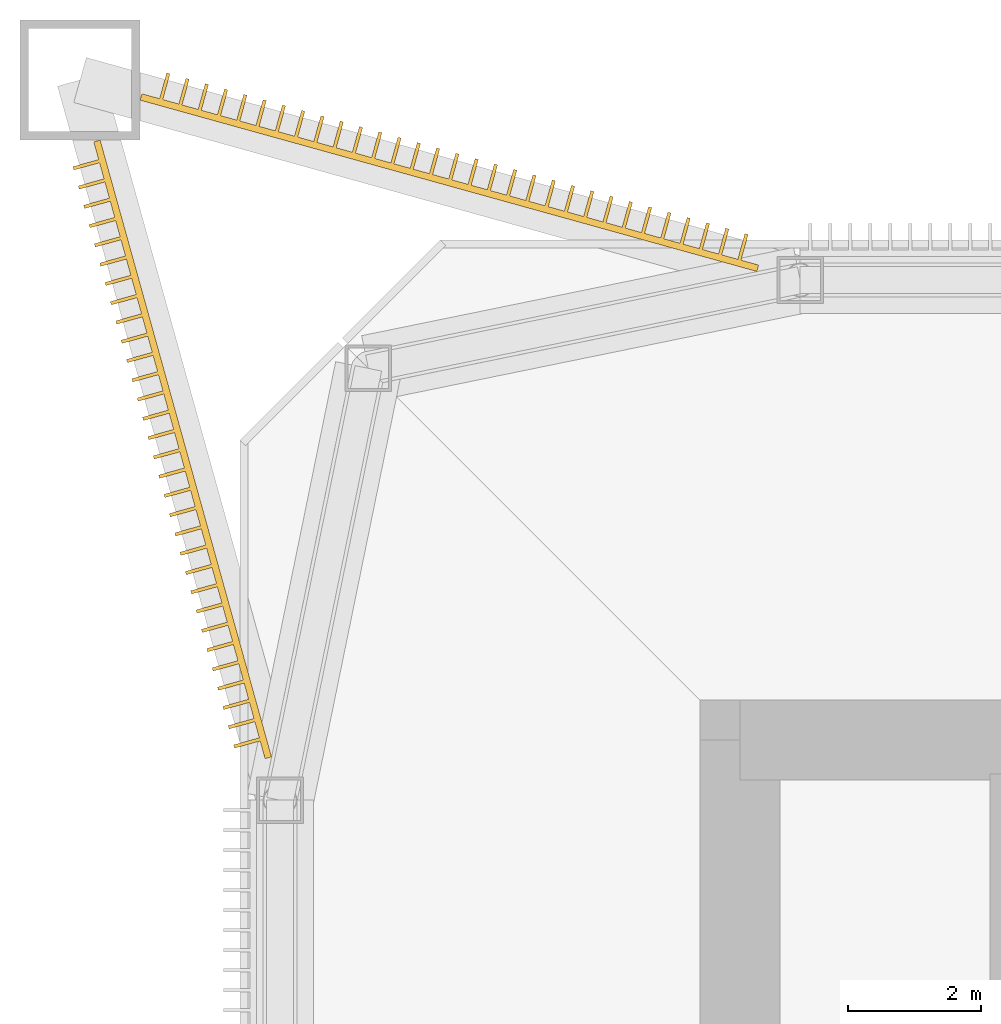
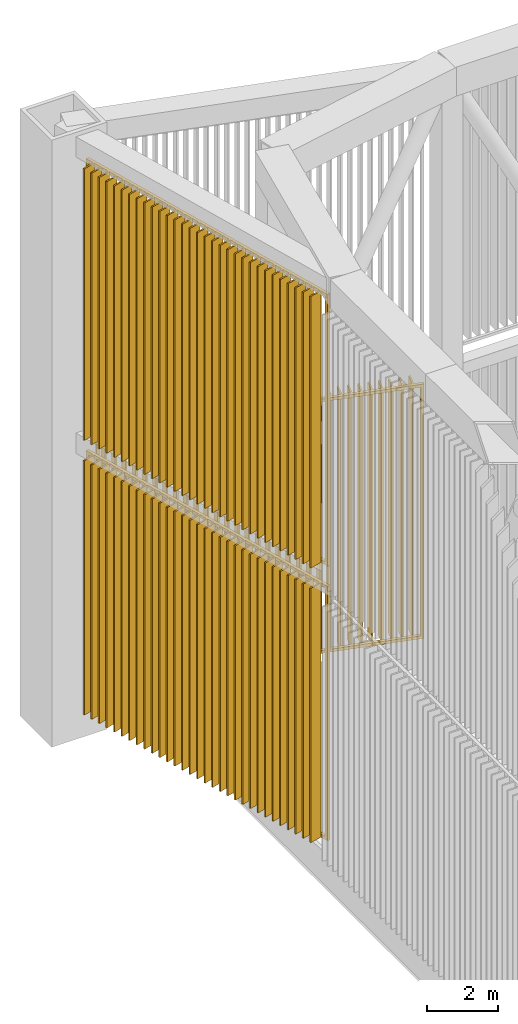
# One storey, part 10 of 13: 3 shading devices.
"""IFC4 building model written with IfcOpenShell, lengths in metres."""

from ifc_helpers import new_model, si_unit, direction, frame, origin, origin_2d, place, context, subcontext, project, spatial, rectangle, extrude, material, layer, layer_set, type_object, element, save


model = new_model("IFC4")

# Units and contexts
model_context = context("Model", 3, precision=1e-05, world=origin(), true_north=direction((0.0, 1.0)))
body_context = subcontext(model_context, "Body", "Model", "MODEL_VIEW")
ifc_project = project(units=[si_unit("LENGTHUNIT", "METRE"), si_unit("AREAUNIT", "SQUARE_METRE"), si_unit("VOLUMEUNIT", "CUBIC_METRE"), si_unit("PLANEANGLEUNIT", "RADIAN"), si_unit("MASSUNIT", "GRAM", prefix="KILO")], contexts=[model_context])

# Site, building, storey
site_placement = place(None, origin())
site = spatial("IfcSite", under=ifc_project, at=site_placement, CompositionType="ELEMENT")
building_placement = place(site_placement, origin())
building = spatial("IfcBuilding", under=site, at=building_placement, Name="Iwan Alto Co-Living Towers", CompositionType="ELEMENT")
storey_placement = place(building_placement, frame((0.0, 0.0, 267.5)))
storey = spatial("IfcBuildingStorey", under=building, at=storey_placement, Name="RF", CompositionType="ELEMENT", Elevation=267.5)

# Shading devices
ifc_material_1 = material(Name="Aluminium 6063-T6 bronze anodised", Category="aluminium")
ifc_layer_1 = layer(ifc_material_1, 0.39990234375, Name="Fins", Category="Finish")
ifc_material_2 = material(Name="Steel ASTM A36 galvanised frame", Category="steel")
ifc_layer_2 = layer(ifc_material_2, 0.10009765625, Name="Panel frame", Category="Framing")
ifc_layer_set = layer_set([ifc_layer_1, ifc_layer_2], Name="CROWN FIN SCREEN CORNER PANEL")
shading_device_type = type_object("IfcShadingDeviceType", Name="CROWN FIN SCREEN CORNER PANEL", PredefinedType="USERDEFINED", material=ifc_layer_set)
shading_device_1_placement = place(storey_placement, frame((0.0, 0.0, -267.5)))
element("IfcShadingDevice", 1, at=shading_device_1_placement, inside=storey, type_object=shading_device_type, Name="T1 crown fin screen NW-W lower", ObjectType="LOUVER", PredefinedType="USERDEFINED", context=body_context, shape_type="SweptSolid", body=[
    extrude(rectangle(XDim=9.59912109375, YDim=0.10009765625, at=origin_2d()), frame((-17.361083984375, 13.3603515625, 268.599853515625), z_axis=(0.0, 0.0, 1.0), x_axis=(-0.267643863841, 0.963517909615, 0.0)), (0.0, 0.0, 1.0), 0.10009765625),
    extrude(rectangle(XDim=9.59912109375, YDim=0.10009765625, at=origin_2d()), frame((-17.361083984375, 13.3603515625, 277.300048828125), z_axis=(0.0, 0.0, 1.0), x_axis=(-0.267643863841, 0.963517909615, 0.0)), (0.0, 0.0, 1.0), 0.10009765625),
    extrude(rectangle(XDim=0.10009765625, YDim=0.10009765625, at=origin_2d()), frame((-16.090087890625, 8.7841796875, 268.69482421875), z_axis=(0.0, 0.0, 1.0), x_axis=(-0.267643863841, 0.963517909615, 0.0)), (0.0, 0.0, 1.0), 8.610107421875),
    extrude(rectangle(XDim=0.10009765625, YDim=0.10009765625, at=origin_2d()), frame((-18.63232421875, 17.9365234375, 268.69482421875), z_axis=(0.0, 0.0, 1.0), x_axis=(-0.267643863841, 0.963517909615, 0.0)), (0.0, 0.0, 1.0), 8.610107421875),
    extrude(rectangle(XDim=0.050048828125, YDim=0.405029296875, at=origin_2d()), frame((-16.395263671875, 8.958251953125, 268.60009765625), z_axis=(0.0, 0.0, 1.0), x_axis=(-0.267643863841, 0.963517909615, 0.0)), (0.0, 0.0, 1.0), 8.800048828125),
    extrude(rectangle(XDim=0.050048828125, YDim=0.405029296875, at=origin_2d()), frame((-16.4755859375, 9.247314453125, 268.60009765625), z_axis=(0.0, 0.0, 1.0), x_axis=(-0.267643863841, 0.963517909615, 0.0)), (0.0, 0.0, 1.0), 8.800048828125),
    extrude(rectangle(XDim=0.050048828125, YDim=0.405029296875, at=origin_2d()), frame((-16.555908203125, 9.536376953125, 268.60009765625), z_axis=(0.0, 0.0, 1.0), x_axis=(-0.267643863841, 0.963517909615, 0.0)), (0.0, 0.0, 1.0), 8.800048828125),
    extrude(rectangle(XDim=0.050048828125, YDim=0.405029296875, at=origin_2d()), frame((-16.63623046875, 9.825439453125, 268.60009765625), z_axis=(0.0, 0.0, 1.0), x_axis=(-0.267643863841, 0.963517909615, 0.0)), (0.0, 0.0, 1.0), 8.800048828125),
    extrude(rectangle(XDim=0.050048828125, YDim=0.405029296875, at=origin_2d()), frame((-16.71630859375, 10.114501953125, 268.60009765625), z_axis=(0.0, 0.0, 1.0), x_axis=(-0.267643863841, 0.963517909615, 0.0)), (0.0, 0.0, 1.0), 8.800048828125),
    extrude(rectangle(XDim=0.050048828125, YDim=0.405029296875, at=origin_2d()), frame((-16.796630859375, 10.403564453125, 268.60009765625), z_axis=(0.0, 0.0, 1.0), x_axis=(-0.267643863841, 0.963517909615, 0.0)), (0.0, 0.0, 1.0), 8.800048828125),
    extrude(rectangle(XDim=0.050048828125, YDim=0.405029296875, at=origin_2d()), frame((-16.876953125, 10.692626953125, 268.60009765625), z_axis=(0.0, 0.0, 1.0), x_axis=(-0.267643863841, 0.963517909615, 0.0)), (0.0, 0.0, 1.0), 8.800048828125),
    extrude(rectangle(XDim=0.050048828125, YDim=0.405029296875, at=origin_2d()), frame((-16.957275390625, 10.981689453125, 268.60009765625), z_axis=(0.0, 0.0, 1.0), x_axis=(-0.267643863841, 0.963517909615, 0.0)), (0.0, 0.0, 1.0), 8.800048828125),
    extrude(rectangle(XDim=0.050048828125, YDim=0.405029296875, at=origin_2d()), frame((-17.03759765625, 11.270751953125, 268.60009765625), z_axis=(0.0, 0.0, 1.0), x_axis=(-0.267643863841, 0.963517909615, 0.0)), (0.0, 0.0, 1.0), 8.800048828125),
    extrude(rectangle(XDim=0.050048828125, YDim=0.405029296875, at=origin_2d()), frame((-17.117919921875, 11.559814453125, 268.60009765625), z_axis=(0.0, 0.0, 1.0), x_axis=(-0.267643863841, 0.963517909615, 0.0)), (0.0, 0.0, 1.0), 8.800048828125),
    extrude(rectangle(XDim=0.050048828125, YDim=0.405029296875, at=origin_2d()), frame((-17.1982421875, 11.848876953125, 268.60009765625), z_axis=(0.0, 0.0, 1.0), x_axis=(-0.267643863841, 0.963517909615, 0.0)), (0.0, 0.0, 1.0), 8.800048828125),
    extrude(rectangle(XDim=0.050048828125, YDim=0.405029296875, at=origin_2d()), frame((-17.278564453125, 12.137939453125, 268.60009765625), z_axis=(0.0, 0.0, 1.0), x_axis=(-0.267643863841, 0.963517909615, 0.0)), (0.0, 0.0, 1.0), 8.800048828125),
    extrude(rectangle(XDim=0.050048828125, YDim=0.405029296875, at=origin_2d()), frame((-17.35888671875, 12.427001953125, 268.60009765625), z_axis=(0.0, 0.0, 1.0), x_axis=(-0.267643863841, 0.963517909615, 0.0)), (0.0, 0.0, 1.0), 8.800048828125),
    extrude(rectangle(XDim=0.050048828125, YDim=0.405029296875, at=origin_2d()), frame((-17.439208984375, 12.716064453125, 268.60009765625), z_axis=(0.0, 0.0, 1.0), x_axis=(-0.267643863841, 0.963517909615, 0.0)), (0.0, 0.0, 1.0), 8.800048828125),
    extrude(rectangle(XDim=0.050048828125, YDim=0.405029296875, at=origin_2d()), frame((-17.519287109375, 13.0048828125, 268.60009765625), z_axis=(0.0, 0.0, 1.0), x_axis=(-0.267643863841, 0.963517909615, 0.0)), (0.0, 0.0, 1.0), 8.800048828125),
    extrude(rectangle(XDim=0.050048828125, YDim=0.405029296875, at=origin_2d()), frame((-17.599609375, 13.294189453125, 268.60009765625), z_axis=(0.0, 0.0, 1.0), x_axis=(-0.267643863841, 0.963517909615, 0.0)), (0.0, 0.0, 1.0), 8.800048828125),
    extrude(rectangle(XDim=0.050048828125, YDim=0.405029296875, at=origin_2d()), frame((-17.679931640625, 13.5830078125, 268.60009765625), z_axis=(0.0, 0.0, 1.0), x_axis=(-0.267643863841, 0.963517909615, 0.0)), (0.0, 0.0, 1.0), 8.800048828125),
    extrude(rectangle(XDim=0.050048828125, YDim=0.405029296875, at=origin_2d()), frame((-17.76025390625, 13.872314453125, 268.60009765625), z_axis=(0.0, 0.0, 1.0), x_axis=(-0.267643863841, 0.963517909615, 0.0)), (0.0, 0.0, 1.0), 8.800048828125),
    extrude(rectangle(XDim=0.050048828125, YDim=0.405029296875, at=origin_2d()), frame((-17.840576171875, 14.161376953125, 268.60009765625), z_axis=(0.0, 0.0, 1.0), x_axis=(-0.267643863841, 0.963517909615, 0.0)), (0.0, 0.0, 1.0), 8.800048828125),
    extrude(rectangle(XDim=0.050048828125, YDim=0.405029296875, at=origin_2d()), frame((-17.9208984375, 14.4501953125, 268.60009765625), z_axis=(0.0, 0.0, 1.0), x_axis=(-0.267643863841, 0.963517909615, 0.0)), (0.0, 0.0, 1.0), 8.800048828125),
    extrude(rectangle(XDim=0.050048828125, YDim=0.405029296875, at=origin_2d()), frame((-18.001220703125, 14.739501953125, 268.60009765625), z_axis=(0.0, 0.0, 1.0), x_axis=(-0.267643863841, 0.963517909615, 0.0)), (0.0, 0.0, 1.0), 8.800048828125),
    extrude(rectangle(XDim=0.050048828125, YDim=0.405029296875, at=origin_2d()), frame((-18.081298828125, 15.0283203125, 268.60009765625), z_axis=(0.0, 0.0, 1.0), x_axis=(-0.267643863841, 0.963517909615, 0.0)), (0.0, 0.0, 1.0), 8.800048828125),
    extrude(rectangle(XDim=0.050048828125, YDim=0.405029296875, at=origin_2d()), frame((-18.16162109375, 15.3173828125, 268.60009765625), z_axis=(0.0, 0.0, 1.0), x_axis=(-0.267643863841, 0.963517909615, 0.0)), (0.0, 0.0, 1.0), 8.800048828125),
    extrude(rectangle(XDim=0.050048828125, YDim=0.405029296875, at=origin_2d()), frame((-18.241943359375, 15.6064453125, 268.60009765625), z_axis=(0.0, 0.0, 1.0), x_axis=(-0.267643863841, 0.963517909615, 0.0)), (0.0, 0.0, 1.0), 8.800048828125),
    extrude(rectangle(XDim=0.050048828125, YDim=0.405029296875, at=origin_2d()), frame((-18.322265625, 15.8955078125, 268.60009765625), z_axis=(0.0, 0.0, 1.0), x_axis=(-0.267643863841, 0.963517909615, 0.0)), (0.0, 0.0, 1.0), 8.800048828125),
    extrude(rectangle(XDim=0.050048828125, YDim=0.405029296875, at=origin_2d()), frame((-18.402587890625, 16.1845703125, 268.60009765625), z_axis=(0.0, 0.0, 1.0), x_axis=(-0.267643863841, 0.963517909615, 0.0)), (0.0, 0.0, 1.0), 8.800048828125),
    extrude(rectangle(XDim=0.050048828125, YDim=0.405029296875, at=origin_2d()), frame((-18.48291015625, 16.4736328125, 268.60009765625), z_axis=(0.0, 0.0, 1.0), x_axis=(-0.267643863841, 0.963517909615, 0.0)), (0.0, 0.0, 1.0), 8.800048828125),
    extrude(rectangle(XDim=0.050048828125, YDim=0.405029296875, at=origin_2d()), frame((-18.563232421875, 16.7626953125, 268.60009765625), z_axis=(0.0, 0.0, 1.0), x_axis=(-0.267643863841, 0.963517909615, 0.0)), (0.0, 0.0, 1.0), 8.800048828125),
    extrude(rectangle(XDim=0.050048828125, YDim=0.405029296875, at=origin_2d()), frame((-18.6435546875, 17.0517578125, 268.60009765625), z_axis=(0.0, 0.0, 1.0), x_axis=(-0.267643863841, 0.963517909615, 0.0)), (0.0, 0.0, 1.0), 8.800048828125),
    extrude(rectangle(XDim=0.050048828125, YDim=0.405029296875, at=origin_2d()), frame((-18.723876953125, 17.3408203125, 268.60009765625), z_axis=(0.0, 0.0, 1.0), x_axis=(-0.267643863841, 0.963517909615, 0.0)), (0.0, 0.0, 1.0), 8.800048828125),
    extrude(rectangle(XDim=0.050048828125, YDim=0.405029296875, at=origin_2d()), frame((-18.80419921875, 17.6298828125, 268.60009765625), z_axis=(0.0, 0.0, 1.0), x_axis=(-0.267643863841, 0.963517909615, 0.0)), (0.0, 0.0, 1.0), 8.800048828125),
])
shading_device_2_placement = place(storey_placement, frame((0.0, 0.0, -267.5)))
element("IfcShadingDevice", 2, at=shading_device_2_placement, inside=storey, type_object=shading_device_type, Name="T1 crown fin screen NW-W upper", ObjectType="LOUVER", PredefinedType="USERDEFINED", context=body_context, shape_type="SweptSolid", body=[
    extrude(rectangle(XDim=9.59912109375, YDim=0.10009765625, at=origin_2d()), frame((-17.361083984375, 13.3603515625, 278.099853515625), z_axis=(0.0, 0.0, 1.0), x_axis=(-0.267643863841, 0.963517909615, 0.0)), (0.0, 0.0, 1.0), 0.10009765625),
    extrude(rectangle(XDim=9.59912109375, YDim=0.10009765625, at=origin_2d()), frame((-17.361083984375, 13.3603515625, 287.39990234375), z_axis=(0.0, 0.0, 1.0), x_axis=(-0.267643863841, 0.963517909615, 0.0)), (0.0, 0.0, 1.0), 0.10009765625),
    extrude(rectangle(XDim=0.10009765625, YDim=0.10009765625, at=origin_2d()), frame((-16.090087890625, 8.7841796875, 278.195068359375), z_axis=(0.0, 0.0, 1.0), x_axis=(-0.267643863841, 0.963517909615, 0.0)), (0.0, 0.0, 1.0), 9.2099609375),
    extrude(rectangle(XDim=0.10009765625, YDim=0.10009765625, at=origin_2d()), frame((-18.63232421875, 17.9365234375, 278.195068359375), z_axis=(0.0, 0.0, 1.0), x_axis=(-0.267643863841, 0.963517909615, 0.0)), (0.0, 0.0, 1.0), 9.2099609375),
    extrude(rectangle(XDim=0.050048828125, YDim=0.405029296875, at=origin_2d()), frame((-16.395263671875, 8.958251953125, 278.10009765625), z_axis=(0.0, 0.0, 1.0), x_axis=(-0.267643863841, 0.963517909615, 0.0)), (0.0, 0.0, 1.0), 9.39990234375),
    extrude(rectangle(XDim=0.050048828125, YDim=0.405029296875, at=origin_2d()), frame((-16.4755859375, 9.247314453125, 278.10009765625), z_axis=(0.0, 0.0, 1.0), x_axis=(-0.267643863841, 0.963517909615, 0.0)), (0.0, 0.0, 1.0), 9.39990234375),
    extrude(rectangle(XDim=0.050048828125, YDim=0.405029296875, at=origin_2d()), frame((-16.555908203125, 9.536376953125, 278.10009765625), z_axis=(0.0, 0.0, 1.0), x_axis=(-0.267643863841, 0.963517909615, 0.0)), (0.0, 0.0, 1.0), 9.39990234375),
    extrude(rectangle(XDim=0.050048828125, YDim=0.405029296875, at=origin_2d()), frame((-16.63623046875, 9.825439453125, 278.10009765625), z_axis=(0.0, 0.0, 1.0), x_axis=(-0.267643863841, 0.963517909615, 0.0)), (0.0, 0.0, 1.0), 9.39990234375),
    extrude(rectangle(XDim=0.050048828125, YDim=0.405029296875, at=origin_2d()), frame((-16.71630859375, 10.114501953125, 278.10009765625), z_axis=(0.0, 0.0, 1.0), x_axis=(-0.267643863841, 0.963517909615, 0.0)), (0.0, 0.0, 1.0), 9.39990234375),
    extrude(rectangle(XDim=0.050048828125, YDim=0.405029296875, at=origin_2d()), frame((-16.796630859375, 10.403564453125, 278.10009765625), z_axis=(0.0, 0.0, 1.0), x_axis=(-0.267643863841, 0.963517909615, 0.0)), (0.0, 0.0, 1.0), 9.39990234375),
    extrude(rectangle(XDim=0.050048828125, YDim=0.405029296875, at=origin_2d()), frame((-16.876953125, 10.692626953125, 278.10009765625), z_axis=(0.0, 0.0, 1.0), x_axis=(-0.267643863841, 0.963517909615, 0.0)), (0.0, 0.0, 1.0), 9.39990234375),
    extrude(rectangle(XDim=0.050048828125, YDim=0.405029296875, at=origin_2d()), frame((-16.957275390625, 10.981689453125, 278.10009765625), z_axis=(0.0, 0.0, 1.0), x_axis=(-0.267643863841, 0.963517909615, 0.0)), (0.0, 0.0, 1.0), 9.39990234375),
    extrude(rectangle(XDim=0.050048828125, YDim=0.405029296875, at=origin_2d()), frame((-17.03759765625, 11.270751953125, 278.10009765625), z_axis=(0.0, 0.0, 1.0), x_axis=(-0.267643863841, 0.963517909615, 0.0)), (0.0, 0.0, 1.0), 9.39990234375),
    extrude(rectangle(XDim=0.050048828125, YDim=0.405029296875, at=origin_2d()), frame((-17.117919921875, 11.559814453125, 278.10009765625), z_axis=(0.0, 0.0, 1.0), x_axis=(-0.267643863841, 0.963517909615, 0.0)), (0.0, 0.0, 1.0), 9.39990234375),
    extrude(rectangle(XDim=0.050048828125, YDim=0.405029296875, at=origin_2d()), frame((-17.1982421875, 11.848876953125, 278.10009765625), z_axis=(0.0, 0.0, 1.0), x_axis=(-0.267643863841, 0.963517909615, 0.0)), (0.0, 0.0, 1.0), 9.39990234375),
    extrude(rectangle(XDim=0.050048828125, YDim=0.405029296875, at=origin_2d()), frame((-17.278564453125, 12.137939453125, 278.10009765625), z_axis=(0.0, 0.0, 1.0), x_axis=(-0.267643863841, 0.963517909615, 0.0)), (0.0, 0.0, 1.0), 9.39990234375),
    extrude(rectangle(XDim=0.050048828125, YDim=0.405029296875, at=origin_2d()), frame((-17.35888671875, 12.427001953125, 278.10009765625), z_axis=(0.0, 0.0, 1.0), x_axis=(-0.267643863841, 0.963517909615, 0.0)), (0.0, 0.0, 1.0), 9.39990234375),
    extrude(rectangle(XDim=0.050048828125, YDim=0.405029296875, at=origin_2d()), frame((-17.439208984375, 12.716064453125, 278.10009765625), z_axis=(0.0, 0.0, 1.0), x_axis=(-0.267643863841, 0.963517909615, 0.0)), (0.0, 0.0, 1.0), 9.39990234375),
    extrude(rectangle(XDim=0.050048828125, YDim=0.405029296875, at=origin_2d()), frame((-17.519287109375, 13.0048828125, 278.10009765625), z_axis=(0.0, 0.0, 1.0), x_axis=(-0.267643863841, 0.963517909615, 0.0)), (0.0, 0.0, 1.0), 9.39990234375),
    extrude(rectangle(XDim=0.050048828125, YDim=0.405029296875, at=origin_2d()), frame((-17.599609375, 13.294189453125, 278.10009765625), z_axis=(0.0, 0.0, 1.0), x_axis=(-0.267643863841, 0.963517909615, 0.0)), (0.0, 0.0, 1.0), 9.39990234375),
    extrude(rectangle(XDim=0.050048828125, YDim=0.405029296875, at=origin_2d()), frame((-17.679931640625, 13.5830078125, 278.10009765625), z_axis=(0.0, 0.0, 1.0), x_axis=(-0.267643863841, 0.963517909615, 0.0)), (0.0, 0.0, 1.0), 9.39990234375),
    extrude(rectangle(XDim=0.050048828125, YDim=0.405029296875, at=origin_2d()), frame((-17.76025390625, 13.872314453125, 278.10009765625), z_axis=(0.0, 0.0, 1.0), x_axis=(-0.267643863841, 0.963517909615, 0.0)), (0.0, 0.0, 1.0), 9.39990234375),
    extrude(rectangle(XDim=0.050048828125, YDim=0.405029296875, at=origin_2d()), frame((-17.840576171875, 14.161376953125, 278.10009765625), z_axis=(0.0, 0.0, 1.0), x_axis=(-0.267643863841, 0.963517909615, 0.0)), (0.0, 0.0, 1.0), 9.39990234375),
    extrude(rectangle(XDim=0.050048828125, YDim=0.405029296875, at=origin_2d()), frame((-17.9208984375, 14.4501953125, 278.10009765625), z_axis=(0.0, 0.0, 1.0), x_axis=(-0.267643863841, 0.963517909615, 0.0)), (0.0, 0.0, 1.0), 9.39990234375),
    extrude(rectangle(XDim=0.050048828125, YDim=0.405029296875, at=origin_2d()), frame((-18.001220703125, 14.739501953125, 278.10009765625), z_axis=(0.0, 0.0, 1.0), x_axis=(-0.267643863841, 0.963517909615, 0.0)), (0.0, 0.0, 1.0), 9.39990234375),
    extrude(rectangle(XDim=0.050048828125, YDim=0.405029296875, at=origin_2d()), frame((-18.081298828125, 15.0283203125, 278.10009765625), z_axis=(0.0, 0.0, 1.0), x_axis=(-0.267643863841, 0.963517909615, 0.0)), (0.0, 0.0, 1.0), 9.39990234375),
    extrude(rectangle(XDim=0.050048828125, YDim=0.405029296875, at=origin_2d()), frame((-18.16162109375, 15.3173828125, 278.10009765625), z_axis=(0.0, 0.0, 1.0), x_axis=(-0.267643863841, 0.963517909615, 0.0)), (0.0, 0.0, 1.0), 9.39990234375),
    extrude(rectangle(XDim=0.050048828125, YDim=0.405029296875, at=origin_2d()), frame((-18.241943359375, 15.6064453125, 278.10009765625), z_axis=(0.0, 0.0, 1.0), x_axis=(-0.267643863841, 0.963517909615, 0.0)), (0.0, 0.0, 1.0), 9.39990234375),
    extrude(rectangle(XDim=0.050048828125, YDim=0.405029296875, at=origin_2d()), frame((-18.322265625, 15.8955078125, 278.10009765625), z_axis=(0.0, 0.0, 1.0), x_axis=(-0.267643863841, 0.963517909615, 0.0)), (0.0, 0.0, 1.0), 9.39990234375),
    extrude(rectangle(XDim=0.050048828125, YDim=0.405029296875, at=origin_2d()), frame((-18.402587890625, 16.1845703125, 278.10009765625), z_axis=(0.0, 0.0, 1.0), x_axis=(-0.267643863841, 0.963517909615, 0.0)), (0.0, 0.0, 1.0), 9.39990234375),
    extrude(rectangle(XDim=0.050048828125, YDim=0.405029296875, at=origin_2d()), frame((-18.48291015625, 16.4736328125, 278.10009765625), z_axis=(0.0, 0.0, 1.0), x_axis=(-0.267643863841, 0.963517909615, 0.0)), (0.0, 0.0, 1.0), 9.39990234375),
    extrude(rectangle(XDim=0.050048828125, YDim=0.405029296875, at=origin_2d()), frame((-18.563232421875, 16.7626953125, 278.10009765625), z_axis=(0.0, 0.0, 1.0), x_axis=(-0.267643863841, 0.963517909615, 0.0)), (0.0, 0.0, 1.0), 9.39990234375),
    extrude(rectangle(XDim=0.050048828125, YDim=0.405029296875, at=origin_2d()), frame((-18.6435546875, 17.0517578125, 278.10009765625), z_axis=(0.0, 0.0, 1.0), x_axis=(-0.267643863841, 0.963517909615, 0.0)), (0.0, 0.0, 1.0), 9.39990234375),
    extrude(rectangle(XDim=0.050048828125, YDim=0.405029296875, at=origin_2d()), frame((-18.723876953125, 17.3408203125, 278.10009765625), z_axis=(0.0, 0.0, 1.0), x_axis=(-0.267643863841, 0.963517909615, 0.0)), (0.0, 0.0, 1.0), 9.39990234375),
    extrude(rectangle(XDim=0.050048828125, YDim=0.405029296875, at=origin_2d()), frame((-18.80419921875, 17.6298828125, 278.10009765625), z_axis=(0.0, 0.0, 1.0), x_axis=(-0.267643863841, 0.963517909615, 0.0)), (0.0, 0.0, 1.0), 9.39990234375),
])
shading_device_3_placement = place(storey_placement, frame((0.0, 0.0, -267.5)))
element("IfcShadingDevice", 3, at=shading_device_3_placement, inside=storey, type_object=shading_device_type, Name="T1 crown fin screen NW-N lower", ObjectType="LOUVER", PredefinedType="USERDEFINED", context=body_context, shape_type="SweptSolid", body=[
    extrude(rectangle(XDim=9.59912109375, YDim=0.10009765625, at=origin_2d()), frame((-13.3603515625, 17.361083984375, 268.599853515625), z_axis=(0.0, 0.0, 1.0), x_axis=(-0.963517909615, 0.267643863841, 0.0)), (0.0, 0.0, 1.0), 0.10009765625),
    extrude(rectangle(XDim=9.59912109375, YDim=0.10009765625, at=origin_2d()), frame((-13.3603515625, 17.361083984375, 277.300048828125), z_axis=(0.0, 0.0, 1.0), x_axis=(-0.963517909615, 0.267643863841, 0.0)), (0.0, 0.0, 1.0), 0.10009765625),
    extrude(rectangle(XDim=0.10009765625, YDim=0.10009765625, at=origin_2d()), frame((-8.7841796875, 16.090087890625, 268.69482421875), z_axis=(0.0, 0.0, 1.0), x_axis=(-0.963517909615, 0.267643863841, 0.0)), (0.0, 0.0, 1.0), 8.610107421875),
    extrude(rectangle(XDim=0.10009765625, YDim=0.10009765625, at=origin_2d()), frame((-17.9365234375, 18.63232421875, 268.69482421875), z_axis=(0.0, 0.0, 1.0), x_axis=(-0.963517909615, 0.267643863841, 0.0)), (0.0, 0.0, 1.0), 8.610107421875),
    extrude(rectangle(XDim=0.050048828125, YDim=0.405029296875, at=origin_2d()), frame((-8.958251953125, 16.395263671875, 268.60009765625), z_axis=(0.0, 0.0, 1.0), x_axis=(-0.963517909615, 0.267643863841, 0.0)), (0.0, 0.0, 1.0), 8.800048828125),
    extrude(rectangle(XDim=0.050048828125, YDim=0.405029296875, at=origin_2d()), frame((-9.247314453125, 16.4755859375, 268.60009765625), z_axis=(0.0, 0.0, 1.0), x_axis=(-0.963517909615, 0.267643863841, 0.0)), (0.0, 0.0, 1.0), 8.800048828125),
    extrude(rectangle(XDim=0.050048828125, YDim=0.405029296875, at=origin_2d()), frame((-9.536376953125, 16.555908203125, 268.60009765625), z_axis=(0.0, 0.0, 1.0), x_axis=(-0.963517909615, 0.267643863841, 0.0)), (0.0, 0.0, 1.0), 8.800048828125),
    extrude(rectangle(XDim=0.050048828125, YDim=0.405029296875, at=origin_2d()), frame((-9.825439453125, 16.63623046875, 268.60009765625), z_axis=(0.0, 0.0, 1.0), x_axis=(-0.963517909615, 0.267643863841, 0.0)), (0.0, 0.0, 1.0), 8.800048828125),
    extrude(rectangle(XDim=0.050048828125, YDim=0.405029296875, at=origin_2d()), frame((-10.114501953125, 16.71630859375, 268.60009765625), z_axis=(0.0, 0.0, 1.0), x_axis=(-0.963517909615, 0.267643863841, 0.0)), (0.0, 0.0, 1.0), 8.800048828125),
    extrude(rectangle(XDim=0.050048828125, YDim=0.405029296875, at=origin_2d()), frame((-10.403564453125, 16.796630859375, 268.60009765625), z_axis=(0.0, 0.0, 1.0), x_axis=(-0.963517909615, 0.267643863841, 0.0)), (0.0, 0.0, 1.0), 8.800048828125),
    extrude(rectangle(XDim=0.050048828125, YDim=0.405029296875, at=origin_2d()), frame((-10.692626953125, 16.876953125, 268.60009765625), z_axis=(0.0, 0.0, 1.0), x_axis=(-0.963517909615, 0.267643863841, 0.0)), (0.0, 0.0, 1.0), 8.800048828125),
    extrude(rectangle(XDim=0.050048828125, YDim=0.405029296875, at=origin_2d()), frame((-10.981689453125, 16.957275390625, 268.60009765625), z_axis=(0.0, 0.0, 1.0), x_axis=(-0.963517909615, 0.267643863841, 0.0)), (0.0, 0.0, 1.0), 8.800048828125),
    extrude(rectangle(XDim=0.050048828125, YDim=0.405029296875, at=origin_2d()), frame((-11.270751953125, 17.03759765625, 268.60009765625), z_axis=(0.0, 0.0, 1.0), x_axis=(-0.963517909615, 0.267643863841, 0.0)), (0.0, 0.0, 1.0), 8.800048828125),
    extrude(rectangle(XDim=0.050048828125, YDim=0.405029296875, at=origin_2d()), frame((-11.559814453125, 17.117919921875, 268.60009765625), z_axis=(0.0, 0.0, 1.0), x_axis=(-0.963517909615, 0.267643863841, 0.0)), (0.0, 0.0, 1.0), 8.800048828125),
    extrude(rectangle(XDim=0.050048828125, YDim=0.405029296875, at=origin_2d()), frame((-11.848876953125, 17.1982421875, 268.60009765625), z_axis=(0.0, 0.0, 1.0), x_axis=(-0.963517909615, 0.267643863841, 0.0)), (0.0, 0.0, 1.0), 8.800048828125),
    extrude(rectangle(XDim=0.050048828125, YDim=0.405029296875, at=origin_2d()), frame((-12.137939453125, 17.278564453125, 268.60009765625), z_axis=(0.0, 0.0, 1.0), x_axis=(-0.963517909615, 0.267643863841, 0.0)), (0.0, 0.0, 1.0), 8.800048828125),
    extrude(rectangle(XDim=0.050048828125, YDim=0.405029296875, at=origin_2d()), frame((-12.427001953125, 17.35888671875, 268.60009765625), z_axis=(0.0, 0.0, 1.0), x_axis=(-0.963517909615, 0.267643863841, 0.0)), (0.0, 0.0, 1.0), 8.800048828125),
    extrude(rectangle(XDim=0.050048828125, YDim=0.405029296875, at=origin_2d()), frame((-12.716064453125, 17.439208984375, 268.60009765625), z_axis=(0.0, 0.0, 1.0), x_axis=(-0.963517909615, 0.267643863841, 0.0)), (0.0, 0.0, 1.0), 8.800048828125),
    extrude(rectangle(XDim=0.050048828125, YDim=0.405029296875, at=origin_2d()), frame((-13.0048828125, 17.519287109375, 268.60009765625), z_axis=(0.0, 0.0, 1.0), x_axis=(-0.963517909615, 0.267643863841, 0.0)), (0.0, 0.0, 1.0), 8.800048828125),
    extrude(rectangle(XDim=0.050048828125, YDim=0.405029296875, at=origin_2d()), frame((-13.294189453125, 17.599609375, 268.60009765625), z_axis=(0.0, 0.0, 1.0), x_axis=(-0.963517909615, 0.267643863841, 0.0)), (0.0, 0.0, 1.0), 8.800048828125),
    extrude(rectangle(XDim=0.050048828125, YDim=0.405029296875, at=origin_2d()), frame((-13.5830078125, 17.679931640625, 268.60009765625), z_axis=(0.0, 0.0, 1.0), x_axis=(-0.963517909615, 0.267643863841, 0.0)), (0.0, 0.0, 1.0), 8.800048828125),
    extrude(rectangle(XDim=0.050048828125, YDim=0.405029296875, at=origin_2d()), frame((-13.872314453125, 17.76025390625, 268.60009765625), z_axis=(0.0, 0.0, 1.0), x_axis=(-0.963517909615, 0.267643863841, 0.0)), (0.0, 0.0, 1.0), 8.800048828125),
    extrude(rectangle(XDim=0.050048828125, YDim=0.405029296875, at=origin_2d()), frame((-14.161376953125, 17.840576171875, 268.60009765625), z_axis=(0.0, 0.0, 1.0), x_axis=(-0.963517909615, 0.267643863841, 0.0)), (0.0, 0.0, 1.0), 8.800048828125),
    extrude(rectangle(XDim=0.050048828125, YDim=0.405029296875, at=origin_2d()), frame((-14.4501953125, 17.9208984375, 268.60009765625), z_axis=(0.0, 0.0, 1.0), x_axis=(-0.963517909615, 0.267643863841, 0.0)), (0.0, 0.0, 1.0), 8.800048828125),
    extrude(rectangle(XDim=0.050048828125, YDim=0.405029296875, at=origin_2d()), frame((-14.739501953125, 18.001220703125, 268.60009765625), z_axis=(0.0, 0.0, 1.0), x_axis=(-0.963517909615, 0.267643863841, 0.0)), (0.0, 0.0, 1.0), 8.800048828125),
    extrude(rectangle(XDim=0.050048828125, YDim=0.405029296875, at=origin_2d()), frame((-15.0283203125, 18.081298828125, 268.60009765625), z_axis=(0.0, 0.0, 1.0), x_axis=(-0.963517909615, 0.267643863841, 0.0)), (0.0, 0.0, 1.0), 8.800048828125),
    extrude(rectangle(XDim=0.050048828125, YDim=0.405029296875, at=origin_2d()), frame((-15.3173828125, 18.16162109375, 268.60009765625), z_axis=(0.0, 0.0, 1.0), x_axis=(-0.963517909615, 0.267643863841, 0.0)), (0.0, 0.0, 1.0), 8.800048828125),
    extrude(rectangle(XDim=0.050048828125, YDim=0.405029296875, at=origin_2d()), frame((-15.6064453125, 18.241943359375, 268.60009765625), z_axis=(0.0, 0.0, 1.0), x_axis=(-0.963517909615, 0.267643863841, 0.0)), (0.0, 0.0, 1.0), 8.800048828125),
    extrude(rectangle(XDim=0.050048828125, YDim=0.405029296875, at=origin_2d()), frame((-15.8955078125, 18.322265625, 268.60009765625), z_axis=(0.0, 0.0, 1.0), x_axis=(-0.963517909615, 0.267643863841, 0.0)), (0.0, 0.0, 1.0), 8.800048828125),
    extrude(rectangle(XDim=0.050048828125, YDim=0.405029296875, at=origin_2d()), frame((-16.1845703125, 18.402587890625, 268.60009765625), z_axis=(0.0, 0.0, 1.0), x_axis=(-0.963517909615, 0.267643863841, 0.0)), (0.0, 0.0, 1.0), 8.800048828125),
    extrude(rectangle(XDim=0.050048828125, YDim=0.405029296875, at=origin_2d()), frame((-16.4736328125, 18.48291015625, 268.60009765625), z_axis=(0.0, 0.0, 1.0), x_axis=(-0.963517909615, 0.267643863841, 0.0)), (0.0, 0.0, 1.0), 8.800048828125),
    extrude(rectangle(XDim=0.050048828125, YDim=0.405029296875, at=origin_2d()), frame((-16.7626953125, 18.563232421875, 268.60009765625), z_axis=(0.0, 0.0, 1.0), x_axis=(-0.963517909615, 0.267643863841, 0.0)), (0.0, 0.0, 1.0), 8.800048828125),
    extrude(rectangle(XDim=0.050048828125, YDim=0.405029296875, at=origin_2d()), frame((-17.0517578125, 18.6435546875, 268.60009765625), z_axis=(0.0, 0.0, 1.0), x_axis=(-0.963517909615, 0.267643863841, 0.0)), (0.0, 0.0, 1.0), 8.800048828125),
    extrude(rectangle(XDim=0.050048828125, YDim=0.405029296875, at=origin_2d()), frame((-17.3408203125, 18.723876953125, 268.60009765625), z_axis=(0.0, 0.0, 1.0), x_axis=(-0.963517909615, 0.267643863841, 0.0)), (0.0, 0.0, 1.0), 8.800048828125),
    extrude(rectangle(XDim=0.050048828125, YDim=0.405029296875, at=origin_2d()), frame((-17.6298828125, 18.80419921875, 268.60009765625), z_axis=(0.0, 0.0, 1.0), x_axis=(-0.963517909615, 0.267643863841, 0.0)), (0.0, 0.0, 1.0), 8.800048828125),
])

save(model, "model.ifc")
